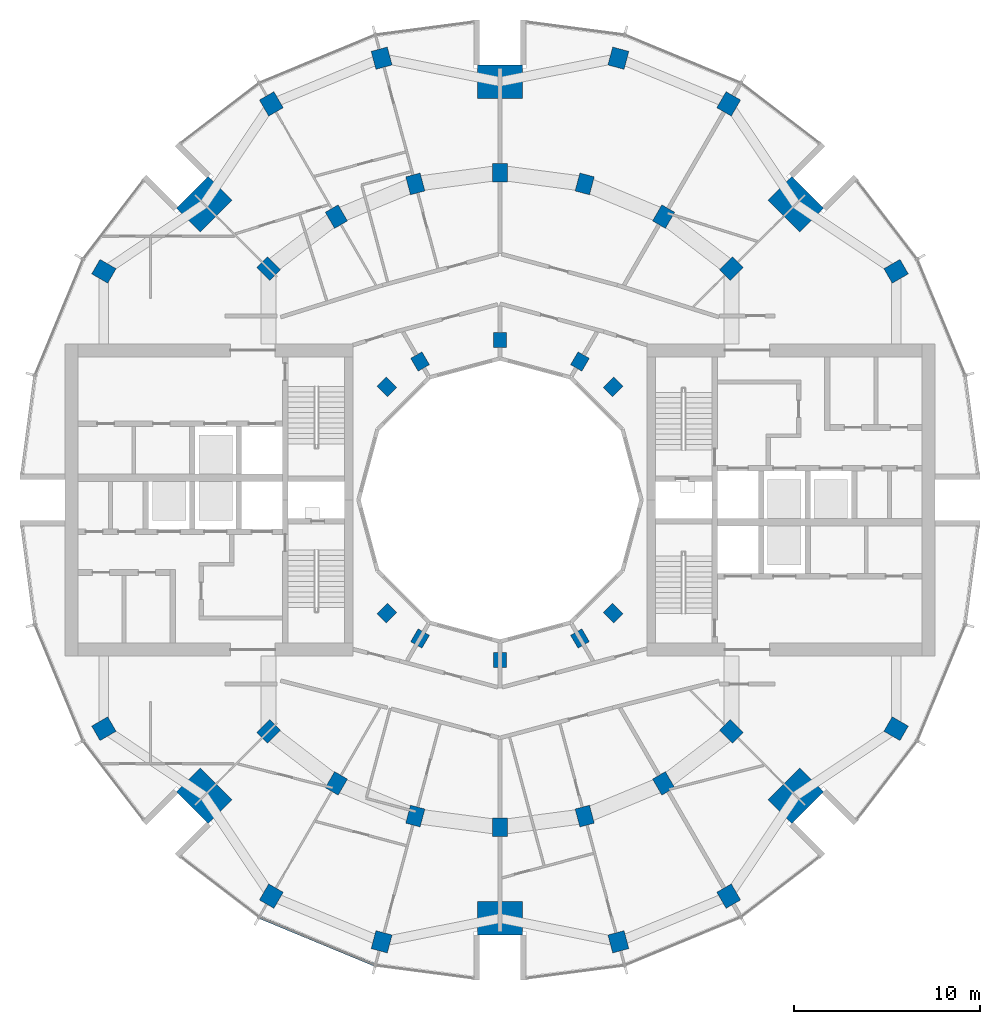
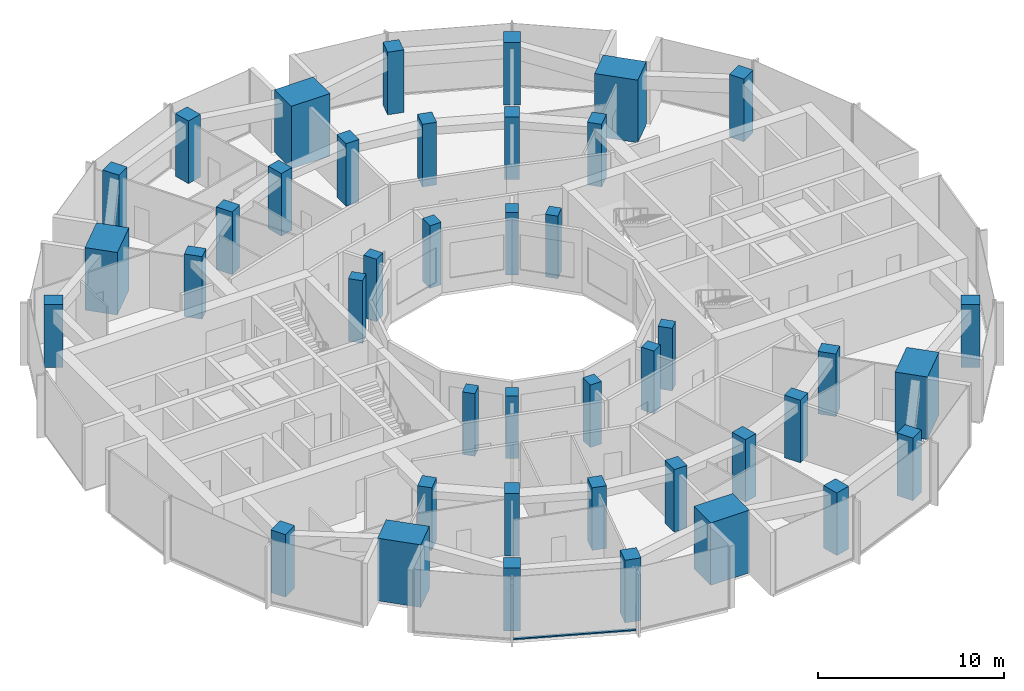
# One storey, part 1 of 15: 42 columns, 1 member, 1 element without a shape of its own.
"""IFC4 building model written with IfcOpenShell, lengths in metres."""

from ifc_helpers import new_model, si_unit, direction, frame, origin, origin_2d, place, context, subcontext, project, spatial, rectangle, extrude, material, layer, layer_set, material_profile, profile_set, type_object, element, aggregate, save


model = new_model("IFC4")

# Units and contexts
model_context = context("Model", 3, precision=1e-05, world=origin(), true_north=direction((0.0, 1.0)))
body_context = subcontext(model_context, "Body", "Model", "MODEL_VIEW")
ifc_project = project(units=[si_unit("LENGTHUNIT", "METRE"), si_unit("AREAUNIT", "SQUARE_METRE"), si_unit("VOLUMEUNIT", "CUBIC_METRE"), si_unit("PLANEANGLEUNIT", "RADIAN"), si_unit("MASSUNIT", "GRAM", prefix="KILO")], contexts=[model_context])

# Site, building, storey
site_placement = place(None, origin())
site = spatial("IfcSite", under=ifc_project, at=site_placement, CompositionType="ELEMENT")
building_placement = place(site_placement, origin())
building = spatial("IfcBuilding", under=site, at=building_placement, Name="Torre Brocal", CompositionType="ELEMENT")
storey_placement = place(building_placement, frame((0.0, 0.0, 161.800048828125)))
storey = spatial("IfcBuildingStorey", under=building, at=storey_placement, Name="L37", CompositionType="ELEMENT", Elevation=161.800048828125)

# Columns
ifc_material_1 = material(Name="Concrete C70", Category="concrete")
ifc_material_profile_1 = material_profile(ifc_material_1, rectangle(XDim=1.0, YDim=0.800048828125, at=origin_2d()), Name="RC 1000X800")
ifc_profile_set_1 = profile_set([ifc_material_profile_1], Name="Concrete C70")
column_type_1 = type_object("IfcColumnType", Name="RC COLUMN 1000X800 C70", PredefinedType="COLUMN", material=ifc_profile_set_1)
for number, where, z_axis, x_axis, name in (
    (1, (92.445068359375, 87.445068359375, 0.0), (0.0, 0.0, 1.0), (0.707106781187, 0.707106781187, 0.0), "Column C-M03"),
    (2, (88.800048828125, 90.241943359375, 0.0), (0.0, 0.0, 1.0), (0.5, 0.866025403784, 0.0), "Column C-M04"),
    (3, (84.55517578125, 92.000244140625, 0.0), (0.0, 0.0, 1.0), (0.258819045103, 0.965925826289, 0.0), "Column C-M05"),
    (4, (80.0, 92.60009765625, 0.0), (0.0, 0.0, 1.0), (0.0, 1.0, 0.0), "Column C-M06"),
    (5, (75.44482421875, 92.000244140625, 0.0), (0.0, 0.0, 1.0), (-0.258819045103, 0.965925826289, 0.0), "Column C-M07"),
    (6, (71.199951171875, 90.241943359375, 0.0), (0.0, 0.0, 1.0), (-0.5, 0.866025403784, 0.0), "Column C-M08"),
    (7, (67.554931640625, 87.445068359375, 0.0), (0.0, 0.0, 1.0), (-0.707106781187, 0.707106781187, 0.0), "Column C-M09"),
    (8, (67.554931640625, 62.554931640625, 0.0), (0.0, 0.0, 1.0), (-0.707106781187, -0.707106781187, 0.0), "Column C-M15"),
    (9, (71.199951171875, 59.758056640625, 0.0), (0.0, 0.0, 1.0), (-0.5, -0.866025403784, 0.0), "Column C-M16"),
    (10, (75.44482421875, 57.999755859375, 0.0), (0.0, 0.0, 1.0), (-0.258819045103, -0.965925826289, 0.0), "Column C-M17"),
    (11, (80.0, 57.39990234375, 0.0), (0.0, 0.0, 1.0), (0.0, -1.0, 0.0), "Column C-M18"),
    (12, (84.55517578125, 57.999755859375, 0.0), (0.0, 0.0, 1.0), (0.258819045103, -0.965925826289, 0.0), "Column C-M19"),
    (13, (88.800048828125, 59.758056640625, 0.0), (0.0, 0.0, 1.0), (0.5, -0.866025403784, 0.0), "Column C-M20"),
    (14, (92.445068359375, 62.554931640625, 0.0), (0.0, 0.0, 1.0), (0.707106781187, -0.707106781187, 0.0), "Column C-M21"),
):
    element("IfcColumn", number, at=place(storey_placement, frame(where, z_axis=z_axis, x_axis=x_axis)), inside=storey, type_object=column_type_1, Name=name, PredefinedType="COLUMN", context=body_context, shape_type="SweptSolid", body=[
        extrude(rectangle(XDim=1.0, YDim=0.800048828125, at=origin_2d()), origin(), (0.0, 0.0, 1.0), 4.099853515625),
    ])
ifc_material_2 = material(Name="Concrete C70", Category="concrete")
ifc_material_profile_2 = material_profile(ifc_material_2, rectangle(XDim=1.0, YDim=0.89990234375, at=origin_2d()), Name="RC 1000X900")
ifc_profile_set_2 = profile_set([ifc_material_profile_2], Name="Concrete C70")
column_type_2 = type_object("IfcColumnType", Name="RC COLUMN 1000X900 C70", PredefinedType="COLUMN", material=ifc_profile_set_2)
for number, where, z_axis, x_axis, name in (
    (15, (101.30419921875, 87.300048828125, 0.0), (0.0, 0.0, 1.0), (0.866025403784, 0.5, 0.0), "Column C-O02"),
    (16, (92.300048828125, 96.30419921875, 0.0), (0.0, 0.0, 1.0), (0.5, 0.866025403784, 0.0), "Column C-O04"),
    (17, (86.366943359375, 98.76171875, 0.0), (0.0, 0.0, 1.0), (0.258819045103, 0.965925826289, 0.0), "Column C-O05"),
    (18, (73.633056640625, 98.76171875, 0.0), (0.0, 0.0, 1.0), (-0.258819045103, 0.965925826289, 0.0), "Column C-O07"),
    (19, (67.699951171875, 96.30419921875, 0.0), (0.0, 0.0, 1.0), (-0.5, 0.866025403784, 0.0), "Column C-O08"),
    (20, (58.69580078125, 87.300048828125, 0.0), (0.0, 0.0, 1.0), (-0.866025403784, 0.5, 0.0), "Column C-O10"),
    (21, (58.69580078125, 62.699951171875, 0.0), (0.0, 0.0, 1.0), (-0.866025403784, -0.5, 0.0), "Column C-O14"),
    (22, (67.699951171875, 53.69580078125, 0.0), (0.0, 0.0, 1.0), (-0.5, -0.866025403784, 0.0), "Column C-O16"),
    (23, (73.633056640625, 51.23828125, 0.0), (0.0, 0.0, 1.0), (-0.258819045103, -0.965925826289, 0.0), "Column C-O17"),
    (24, (86.366943359375, 51.23828125, 0.0), (0.0, 0.0, 1.0), (0.258819045103, -0.965925826289, 0.0), "Column C-O19"),
    (25, (92.300048828125, 53.69580078125, 0.0), (0.0, 0.0, 1.0), (0.5, -0.866025403784, 0.0), "Column C-O20"),
    (26, (101.30419921875, 62.699951171875, 0.0), (0.0, 0.0, 1.0), (0.866025403784, -0.5, 0.0), "Column C-O22"),
):
    element("IfcColumn", number, at=place(storey_placement, frame(where, z_axis=z_axis, x_axis=x_axis)), inside=storey, type_object=column_type_2, Name=name, PredefinedType="COLUMN", context=body_context, shape_type="SweptSolid", body=[
        extrude(rectangle(XDim=1.0, YDim=0.89990234375, at=origin_2d()), origin(), (0.0, 0.0, 1.0), 4.099853515625),
    ])
ifc_material_3 = material(Name="Concrete C70", Category="concrete")
ifc_material_profile_3 = material_profile(ifc_material_3, rectangle(XDim=1.800048828125, YDim=2.39990234375, at=origin_2d()), Name="RC 1800X2400")
ifc_profile_set_3 = profile_set([ifc_material_profile_3], Name="Concrete C70")
column_type_3 = type_object("IfcColumnType", Name="RC COLUMN 1800X2400 C70", PredefinedType="COLUMN", material=ifc_profile_set_3)
for number, where, z_axis, x_axis, name in (
    (27, (95.909912109375, 90.909912109375, 0.0), (0.0, 0.0, 1.0), (0.707106781187, 0.707106781187, 0.0), "Column MC-1"),
    (28, (80.0, 97.5, 0.0), (0.0, 0.0, 1.0), (0.0, 1.0, 0.0), "Column MC-2"),
    (29, (64.090087890625, 90.909912109375, 0.0), (0.0, 0.0, 1.0), (-0.707106781187, 0.707106781187, 0.0), "Column MC-3"),
    (30, (64.090087890625, 59.090087890625, 0.0), (0.0, 0.0, 1.0), (-0.707106781187, -0.707106781187, 0.0), "Column MC-5"),
    (31, (80.0, 52.5, 0.0), (0.0, 0.0, 1.0), (0.0, -1.0, 0.0), "Column MC-6"),
    (32, (95.909912109375, 59.090087890625, 0.0), (0.0, 0.0, 1.0), (0.707106781187, -0.707106781187, 0.0), "Column MC-7"),
):
    element("IfcColumn", number, at=place(storey_placement, frame(where, z_axis=z_axis, x_axis=x_axis)), inside=storey, type_object=column_type_3, Name=name, PredefinedType="COLUMN", context=body_context, shape_type="SweptSolid", body=[
        extrude(rectangle(XDim=1.800048828125, YDim=2.39990234375, at=origin_2d()), origin(), (0.0, 0.0, 1.0), 4.099853515625),
    ])
ifc_material_4 = material(Name="Concrete C70", Category="concrete")
ifc_material_profile_4 = material_profile(ifc_material_4, rectangle(XDim=0.800048828125, YDim=0.699951171875, at=origin_2d()), Name="RC 800X700")
ifc_profile_set_4 = profile_set([ifc_material_profile_4], Name="Concrete C70")
column_type_4 = type_object("IfcColumnType", Name="RC COLUMN 800X700 C70", PredefinedType="COLUMN", material=ifc_profile_set_4)
for number, where, z_axis, x_axis, name in (
    (33, (86.0810546875, 81.0810546875, 0.0), (0.0, 0.0, 1.0), (0.707106781187, 0.707106781187, 0.0), "Column C-I03"),
    (34, (84.300048828125, 82.44775390625, 0.0), (0.0, 0.0, 1.0), (0.5, 0.866025403784, 0.0), "Column C-I04"),
    (35, (80.0, 83.60009765625, 0.0), (0.0, 0.0, 1.0), (0.0, 1.0, 0.0), "Column C-I06"),
    (36, (75.699951171875, 82.44775390625, 0.0), (0.0, 0.0, 1.0), (-0.5, 0.866025403784, 0.0), "Column C-I08"),
    (37, (73.9189453125, 81.0810546875, 0.0), (0.0, 0.0, 1.0), (-0.707106781187, 0.707106781187, 0.0), "Column C-I09"),
    (38, (73.9189453125, 68.9189453125, 0.0), (0.0, 0.0, 1.0), (-0.707106781187, -0.707106781187, 0.0), "Column C-I15"),
    (39, (75.699951171875, 67.55224609375, 0.0), (0.0, 0.0, 1.0), (-0.5, -0.866025403784, 0.0), "Column C-I16"),
    (40, (80.0, 66.39990234375, 0.0), (0.0, 0.0, 1.0), (0.0, -1.0, 0.0), "Column C-I18"),
    (41, (84.300048828125, 67.55224609375, 0.0), (0.0, 0.0, 1.0), (0.5, -0.866025403784, 0.0), "Column C-I20"),
    (42, (86.0810546875, 68.9189453125, 0.0), (0.0, 0.0, 1.0), (0.707106781187, -0.707106781187, 0.0), "Column C-I21"),
):
    element("IfcColumn", number, at=place(storey_placement, frame(where, z_axis=z_axis, x_axis=x_axis)), inside=storey, type_object=column_type_4, Name=name, PredefinedType="COLUMN", context=body_context, shape_type="SweptSolid", body=[
        extrude(rectangle(XDim=0.800048828125, YDim=0.699951171875, at=origin_2d()), origin(), (0.0, 0.0, 1.0), 4.099853515625),
    ])

# Curtain wall, member
ifc_material_5 = material(Name="Aluminium and glass", Category="aluminium")
ifc_layer = layer(ifc_material_5, 0.199951171875)
ifc_layer_set = layer_set([ifc_layer], Name="Aluminium and glass")
curtain_wall_type = type_object("IfcCurtainWallType", Name="CW-1 CURTAIN WALL 4100 HIGH", PredefinedType="NOTDEFINED", material=ifc_layer_set)
curtain_wall_placement = place(storey_placement, origin())
curtain_wall = element("IfcCurtainWall", 43, at=curtain_wall_placement, inside=storey, type_object=curtain_wall_type, Name="CW-1 RUN 17", PredefinedType="NOTDEFINED")
ifc_material_6 = material(Name="Aluminium, dark anodised", Category="aluminium")
ifc_material_profile_5 = material_profile(ifc_material_6, rectangle(XDim=0.159912109375, YDim=0.080078125, at=origin_2d()), Name="CW-1 TRANSOM 160X80")
ifc_profile_set_5 = profile_set([ifc_material_profile_5], Name="Aluminium, dark anodised")
member_type = type_object("IfcMemberType", Name="CW-1 TRANSOM 160X80", PredefinedType="USERDEFINED", material=ifc_profile_set_5)
member_placement = place(storey_placement, frame((67.10595703125, 52.547607421875, 0.0400390625), z_axis=(0.923887344364, -0.38266457234, 0.0), x_axis=(0.38266457234, 0.923887344364, 0.0)))
member = element("IfcMember", 44, at=member_placement, type_object=member_type, Name="CW1-4 transom 1.1", ObjectType="TRANSOM", PredefinedType="USERDEFINED", context=body_context, shape_type="SweptSolid", body=[
    extrude(rectangle(XDim=0.159912109375, YDim=0.080078125, at=origin_2d()), origin(), (0.0, 0.0, 1.0), 6.640869140625),
])
aggregate(curtain_wall, [member])

save(model, "model.ifc")
